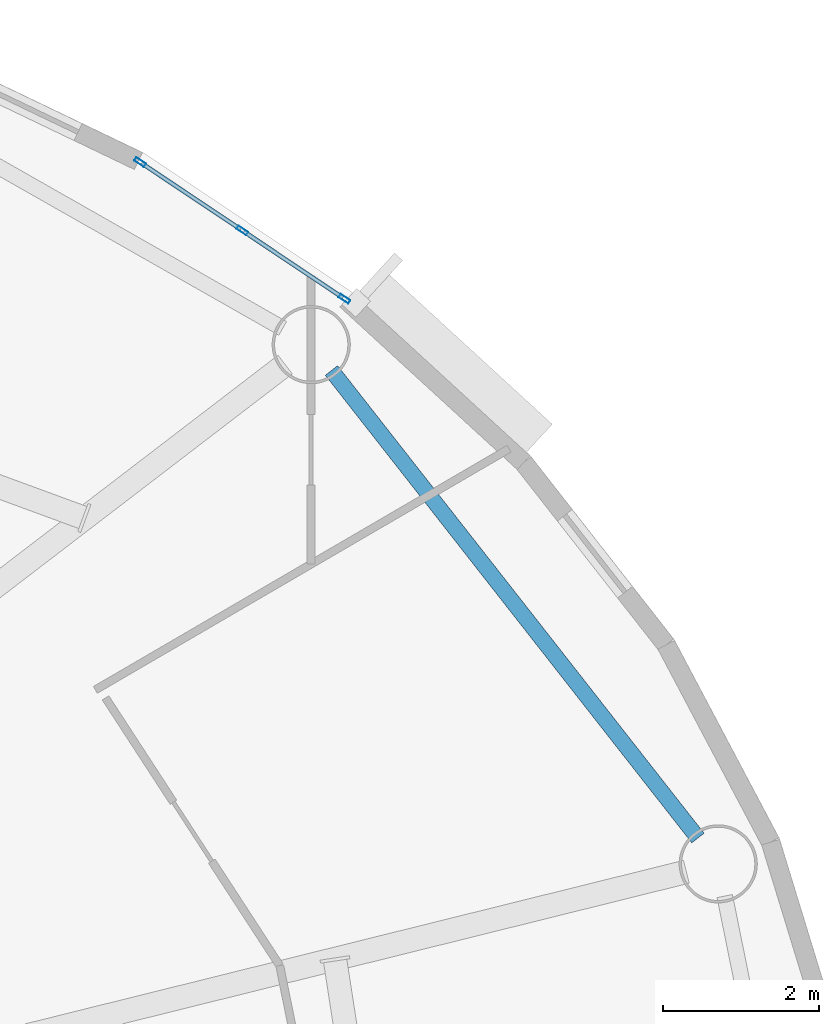
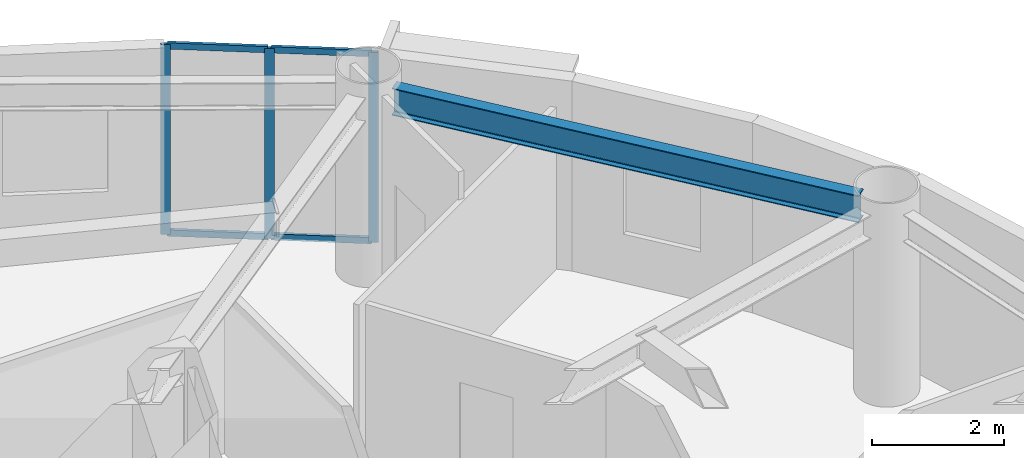
# One storey, part 3 of 16: 7 members, 1 beam, 1 element without a shape of its own.
"""IFC4 building model written with IfcOpenShell, lengths in metres."""

from ifc_helpers import new_model, si_unit, direction, frame, origin, origin_2d, place, context, subcontext, project, spatial, hollow_rectangle, i_section, extrude, source, transform, mapped, material, layer, layer_set, material_profile, profile_set, type_object, element, aggregate, save


model = new_model("IFC4")

# Units and contexts
model_context = context("Model", 3, precision=1e-05, world=origin(), true_north=direction((0.0, 1.0)))
body_context = subcontext(model_context, "Body", "Model", "MODEL_VIEW")
ifc_project = project(units=[si_unit("LENGTHUNIT", "METRE"), si_unit("AREAUNIT", "SQUARE_METRE"), si_unit("VOLUMEUNIT", "CUBIC_METRE"), si_unit("PLANEANGLEUNIT", "RADIAN"), si_unit("MASSUNIT", "GRAM", prefix="KILO")], contexts=[model_context])

# Site, building, storey
site_placement = place(None, origin())
site = spatial("IfcSite", under=ifc_project, at=site_placement, CompositionType="ELEMENT")
building_placement = place(site_placement, origin())
building = spatial("IfcBuilding", under=site, at=building_placement, Name="Linh Dai School and Residence Tower", CompositionType="ELEMENT")
storey_placement = place(building_placement, frame((0.0, 0.0, 306.75)))
storey = spatial("IfcBuildingStorey", under=building, at=storey_placement, Name="L76", CompositionType="ELEMENT", Elevation=306.75)

# Beam
ifc_material_1 = material(Name="Structural Steel S355JR", Category="steel")
ifc_material_profile_1 = material_profile(ifc_material_1, i_section(OverallWidth=0.199951171875, OverallDepth=0.5, WebThickness=0.01025390625, FlangeThickness=0.01611328125, FilletRadius=0.02099609375, at=origin_2d()), Name="IPE 500")
ifc_profile_set_1 = profile_set([ifc_material_profile_1], Name="Structural Steel S355JR")
beam_type = type_object("IfcBeamType", Name="BM-RB50", PredefinedType="BEAM", material=ifc_profile_set_1)
beam_placement = place(storey_placement, frame((56.259521484375, 32.425048828125, 3.25), z_axis=(-0.616882739554, 0.787055071542, 0.0), x_axis=(-0.787055071542, -0.616882739554, 0.0)))
element("IfcBeam", 1, at=beam_placement, inside=storey, type_object=beam_type, Name="L76 Perimeter Elliptical Ring Beam 02", PredefinedType="BEAM", context=body_context, shape_type="SweptSolid", body=[
    extrude(i_section(OverallWidth=0.199951171875, OverallDepth=0.5, WebThickness=0.01025390625, FlangeThickness=0.01611328125, FilletRadius=0.02099609375, at=origin_2d()), origin(), (0.0, 0.0, 1.0), 7.59521484375),
])

# Curtain wall, members
ifc_material_2 = material(Name="Aluminium Anodised Curtain Wall", Category="aluminium")
ifc_layer = layer(ifc_material_2, 0.14990234375)
ifc_layer_set = layer_set([ifc_layer], Name="Aluminium Anodised Curtain Wall")
curtain_wall_type = type_object("IfcCurtainWallType", Name="CW-SYS-4", PredefinedType="USERDEFINED", material=ifc_layer_set)
curtain_wall_placement = place(storey_placement, origin())
curtain_wall = element("IfcCurtainWall", 2, at=curtain_wall_placement, inside=storey, type_object=curtain_wall_type, Name="L76 CW4 Curtain Wall 06", ObjectType="RIBBON CURTAIN WALL", PredefinedType="USERDEFINED")
ifc_material_3 = material(Name="Aluminium Alloy 6063-T6", Category="aluminium")
ifc_material_profile_2 = material_profile(ifc_material_3, hollow_rectangle(XDim=0.052001953125, YDim=0.14990234375, WallThickness=0.00390625, at=origin_2d()), Name="RHS 150x52x4")
ifc_profile_set_2 = profile_set([ifc_material_profile_2], Name="Aluminium Alloy 6063-T6")
member_type_1 = type_object("IfcMemberType", Name="CW-SYS-4-MUL", PredefinedType="MULLION", material=ifc_profile_set_2)
shared_shape_1 = source(origin(), body_context, "Body", "SweptSolid", [
    extrude(hollow_rectangle(XDim=0.052001953125, YDim=0.14990234375, WallThickness=0.00390625, at=origin_2d()), origin(), (0.0, 0.0, 1.0), 3.5),
])
member_1_placement = place(storey_placement, frame((49.126220703125, 41.067138671875, 0.0), z_axis=(0.0, 0.0, 1.0), x_axis=(0.555907926874, 0.831243873264, 0.0)))
member_1 = element("IfcMember", 3, at=member_1_placement, type_object=member_type_1, Name="CW4 mullion 1", PredefinedType="MULLION", context=body_context, shape_type="MappedRepresentation", body=[
    mapped(shared_shape_1, transform((0.0, 0.0, 0.0), x_axis=(1.0, 0.0, 0.0), y_axis=(0.0, 1.0, 0.0), z_axis=(0.0, 0.0, 1.0), scale=1.0)),
])
member_2_placement = place(storey_placement, frame((50.433349609375, 40.19287109375, 0.0), z_axis=(0.0, 0.0, 1.0), x_axis=(0.555907926874, 0.831243873264, 0.0)))
member_2 = element("IfcMember", 4, at=member_2_placement, type_object=member_type_1, Name="CW4 mullion 2", PredefinedType="MULLION", context=body_context, shape_type="MappedRepresentation", body=[
    mapped(shared_shape_1, transform((0.0, 0.0, 0.0), x_axis=(1.0, 0.0, 0.0), y_axis=(0.0, 1.0, 0.0), z_axis=(0.0, 0.0, 1.0), scale=1.0)),
])
member_3_placement = place(storey_placement, frame((51.740478515625, 39.318603515625, 0.0), z_axis=(0.0, 0.0, 1.0), x_axis=(0.555907926874, 0.831243873264, 0.0)))
member_3 = element("IfcMember", 5, at=member_3_placement, type_object=member_type_1, Name="CW4 mullion 3", PredefinedType="MULLION", context=body_context, shape_type="MappedRepresentation", body=[
    mapped(shared_shape_1, transform((0.0, 0.0, 0.0), x_axis=(1.0, 0.0, 0.0), y_axis=(0.0, 1.0, 0.0), z_axis=(0.0, 0.0, 1.0), scale=1.0)),
])
ifc_material_profile_3 = material_profile(ifc_material_3, hollow_rectangle(XDim=0.052001953125, YDim=0.114990234375, WallThickness=0.00390625, at=origin_2d()), Name="RHS 115x52x4")
ifc_profile_set_3 = profile_set([ifc_material_profile_3], Name="Aluminium Alloy 6063-T6")
member_type_2 = type_object("IfcMemberType", Name="CW-SYS-4-TRN", PredefinedType="USERDEFINED", material=ifc_profile_set_3)
shared_shape_2 = source(origin(), body_context, "Body", "SweptSolid", [
    extrude(hollow_rectangle(XDim=0.052001953125, YDim=0.114990234375, WallThickness=0.00390625, at=origin_2d()), origin(), (0.0, 0.0, 1.0), 1.5205078125),
])
member_4_placement = place(storey_placement, frame((49.147705078125, 41.052490234375, 0.02587890625), z_axis=(0.831258962343, -0.555885363653, 0.0), x_axis=(0.555885363653, 0.831258962343, 0.0)))
member_4 = element("IfcMember", 6, at=member_4_placement, type_object=member_type_2, Name="CW4 transom 1.1", ObjectType="TRANSOM", PredefinedType="USERDEFINED", context=body_context, shape_type="MappedRepresentation", body=[
    mapped(shared_shape_2, transform((0.0, 0.0, 0.0), x_axis=(1.0, 0.0, 0.0), y_axis=(0.0, 1.0, 0.0), z_axis=(0.0, 0.0, 1.0), scale=1.0)),
])
member_5_placement = place(storey_placement, frame((49.147705078125, 41.052490234375, 3.47412109375), z_axis=(0.831258962343, -0.555885363653, 0.0), x_axis=(0.555885363653, 0.831258962343, 0.0)))
member_5 = element("IfcMember", 7, at=member_5_placement, type_object=member_type_2, Name="CW4 transom 1.2", ObjectType="TRANSOM", PredefinedType="USERDEFINED", context=body_context, shape_type="MappedRepresentation", body=[
    mapped(shared_shape_2, transform((0.0, 0.0, 0.0), x_axis=(1.0, 0.0, 0.0), y_axis=(0.0, 1.0, 0.0), z_axis=(0.0, 0.0, 1.0), scale=1.0)),
])
member_6_placement = place(storey_placement, frame((50.455078125, 40.178466796875, 0.02587890625), z_axis=(0.831258962343, -0.555885363653, 0.0), x_axis=(0.555885363653, 0.831258962343, 0.0)))
member_6 = element("IfcMember", 8, at=member_6_placement, type_object=member_type_2, Name="CW4 transom 2.1", ObjectType="TRANSOM", PredefinedType="USERDEFINED", context=body_context, shape_type="MappedRepresentation", body=[
    mapped(shared_shape_2, transform((0.0, 0.0, 0.0), x_axis=(1.0, 0.0, 0.0), y_axis=(0.0, 1.0, 0.0), z_axis=(0.0, 0.0, 1.0), scale=1.0)),
])
member_7_placement = place(storey_placement, frame((50.455078125, 40.178466796875, 3.47412109375), z_axis=(0.831258962343, -0.555885363653, 0.0), x_axis=(0.555885363653, 0.831258962343, 0.0)))
member_7 = element("IfcMember", 9, at=member_7_placement, type_object=member_type_2, Name="CW4 transom 2.2", ObjectType="TRANSOM", PredefinedType="USERDEFINED", context=body_context, shape_type="MappedRepresentation", body=[
    mapped(shared_shape_2, transform((0.0, 0.0, 0.0), x_axis=(1.0, 0.0, 0.0), y_axis=(0.0, 1.0, 0.0), z_axis=(0.0, 0.0, 1.0), scale=1.0)),
])
aggregate(curtain_wall, [member_1, member_2, member_3, member_4, member_5, member_6, member_7])

save(model, "model.ifc")
